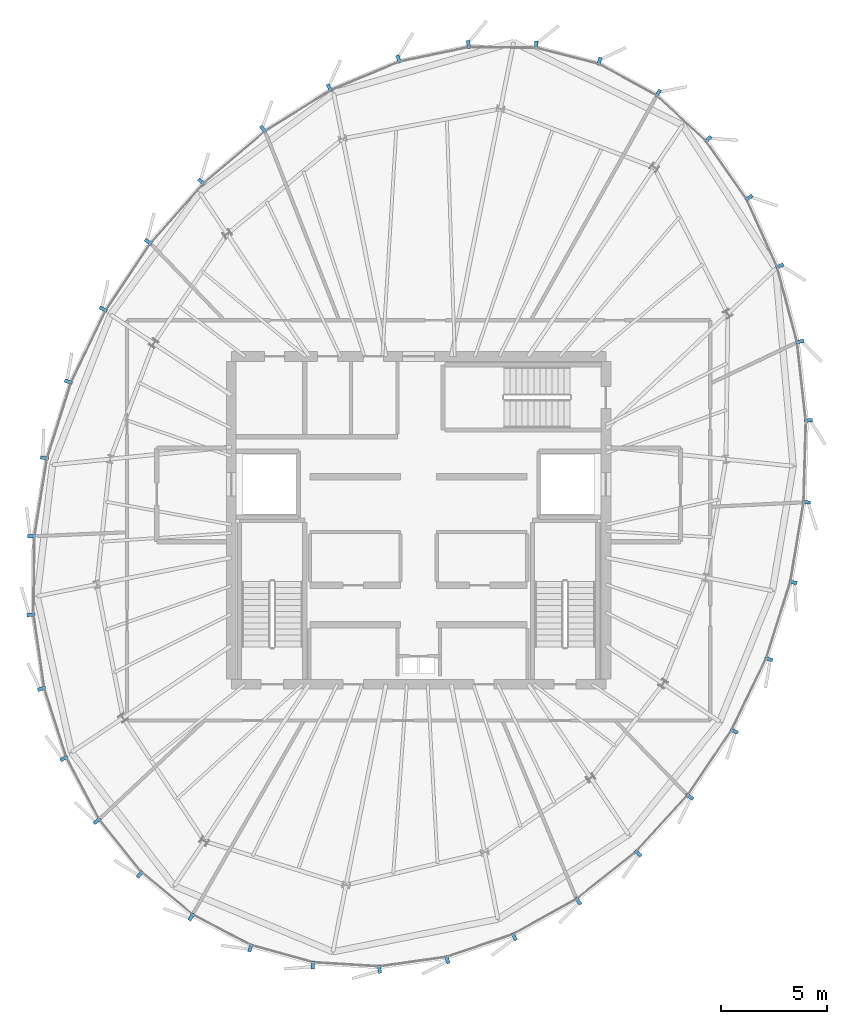
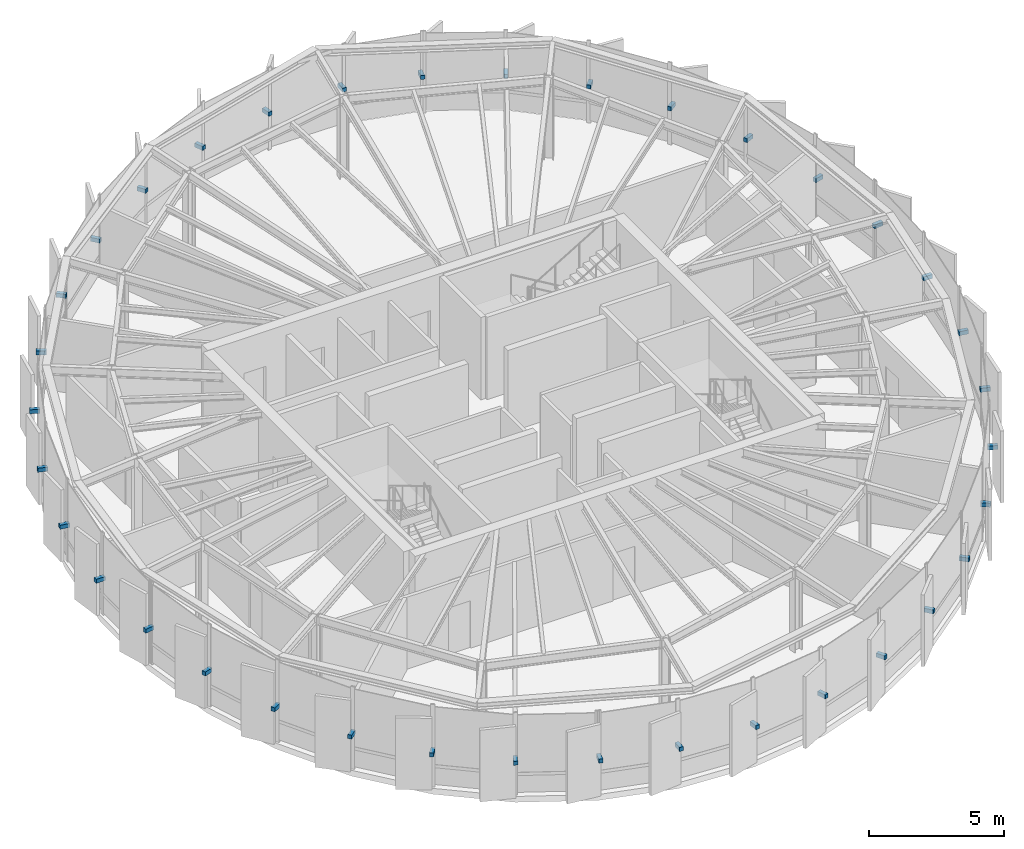
# One storey, part 24 of 27: 36 discrete accessories.
"""IFC4 building model written with IfcOpenShell, lengths in metres."""

from ifc_helpers import new_model, si_unit, direction, frame, origin, origin_2d, place, context, subcontext, project, spatial, rectangle, extrude, source, transform, mapped, material, type_object, element, save


model = new_model("IFC4")

# Units and contexts
model_context = context("Model", 3, precision=1e-05, world=origin(), true_north=direction((0.0, 1.0)))
body_context = subcontext(model_context, "Body", "Model", "MODEL_VIEW")
ifc_project = project(units=[si_unit("LENGTHUNIT", "METRE"), si_unit("AREAUNIT", "SQUARE_METRE"), si_unit("VOLUMEUNIT", "CUBIC_METRE"), si_unit("PLANEANGLEUNIT", "RADIAN"), si_unit("MASSUNIT", "GRAM", prefix="KILO"), si_unit("THERMODYNAMICTEMPERATUREUNIT", "KELVIN")], contexts=[model_context])

# Site, building, storey
site_placement = place(None, origin())
site = spatial("IfcSite", under=ifc_project, at=site_placement, CompositionType="ELEMENT")
building_placement = place(site_placement, origin())
building = spatial("IfcBuilding", under=site, at=building_placement, Name="Kethvar Cultural Tower", CompositionType="ELEMENT")
storey_placement = place(building_placement, frame((0.0, 0.0, 308.300048828125)))
storey = spatial("IfcBuildingStorey", under=building, at=storey_placement, Name="L82", CompositionType="ELEMENT", Elevation=308.300048828125)

# Discrete accessories
ifc_material = material(Name="Steel S355J2", Category="steel")
discrete_accessory_type = type_object("IfcDiscreteAccessoryType", Name="Steel Fin Bracket BRK-01", PredefinedType="BRACKET", material=ifc_material)
shared_shape = source(origin(), body_context, "Body", "SweptSolid", [
    extrude(rectangle(XDim=0.3798828125, YDim=0.159912109375, at=origin_2d()), origin(), (0.0, 0.0, 1.0), 0.179931640625),
])
for number, where, z_axis, x_axis, name in (
    (1, (55.2919921875, 49.365966796875, 1.55517578125), (0.0, 0.0, 1.0), (0.248689887165, 0.968583161129, 0.0), "L82 Terracotta Fin Bracket 1.1"),
    (2, (52.33251953125, 50.12548828125, 1.55517578125), (0.0, 0.0, 1.0), (0.010297260602, 0.999946981807, 0.0), "L82 Terracotta Fin Bracket 1.2"),
    (3, (49.140869140625, 50.158203125, 1.55517578125), (0.0, 0.0, 1.0), (-0.204496051842, 0.978867388762, 0.0), "L82 Terracotta Fin Bracket 1.3"),
    (4, (45.86328125, 49.473388671875, 1.55517578125), (0.0, 0.0, 1.0), (-0.383489523534, 0.923545226472, 0.0), "L82 Terracotta Fin Bracket 1.4"),
    (5, (42.611328125, 48.122802734375, 1.55517578125), (0.0, 0.0, 1.0), (-0.529179000974, 0.848510214982, 0.0), "L82 Terracotta Fin Bracket 1.5"),
    (6, (39.497314453125, 46.1806640625, 1.55517578125), (0.0, 0.0, 1.0), (-0.648252804699, 0.761425177676, 0.0), "L82 Terracotta Fin Bracket 1.6"),
    (7, (36.599365234375, 43.705078125, 1.55517578125), (0.0, 0.0, 1.0), (-0.747913956092, 0.663795687153, 0.0), "L82 Terracotta Fin Bracket 2.1"),
    (8, (34.0966796875, 40.88525390625, 1.55517578125), (0.0, 0.0, 1.0), (-0.83195412213, 0.554844427448, 0.0), "L82 Terracotta Fin Bracket 2.2"),
    (9, (31.98388671875, 37.71728515625, 1.55517578125), (0.0, 0.0, 1.0), (-0.901228341999, 0.433344522957, 0.0), "L82 Terracotta Fin Bracket 2.3"),
    (10, (30.347412109375, 34.313232421875, 1.55517578125), (0.0, 0.0, 1.0), (-0.953716950748, 0.300705799504, 0.0), "L82 Terracotta Fin Bracket 2.4"),
    (11, (29.218017578125, 30.72998046875, 1.55517578125), (0.0, 0.0, 1.0), (-0.987108345507, 0.160053473036, 0.0), "L82 Terracotta Fin Bracket 2.5"),
    (12, (28.622314453125, 27.0576171875, 1.55517578125), (0.0, 0.0, 1.0), (-0.999929573279, 0.011867960299, 0.0), "L82 Terracotta Fin Bracket 2.6"),
    (13, (28.585205078125, 23.36572265625, 1.55517578125), (0.0, 0.0, 1.0), (-0.989626327559, -0.143665346556, 0.0), "L82 Terracotta Fin Bracket 3.1"),
    (14, (29.089599609375, 19.89111328125, 1.55517578125), (0.0, 0.0, 1.0), (-0.952448993995, -0.304698069961, 0.0), "L82 Terracotta Fin Bracket 3.2"),
    (15, (30.13818359375, 16.61474609375, 1.55517578125), (0.0, 0.0, 1.0), (-0.883765630089, -0.467929814261, 0.0), "L82 Terracotta Fin Bracket 3.3"),
    (16, (31.693115234375, 13.677978515625, 1.55517578125), (0.0, 0.0, 1.0), (-0.779665947075, -0.626195665085, 0.0), "L82 Terracotta Fin Bracket 3.4"),
    (17, (33.707275390625, 11.17041015625, 1.55517578125), (0.0, 0.0, 1.0), (-0.638767817516, -0.769399555047, 0.0), "L82 Terracotta Fin Bracket 3.5"),
    (18, (36.119140625, 9.16845703125, 1.55517578125), (0.0, 0.0, 1.0), (-0.464687508306, -0.885474742511, 0.0), "L82 Terracotta Fin Bracket 3.6"),
    (19, (38.896484375, 7.720947265625, 1.55517578125), (0.0, 0.0, 1.0), (-0.267406557249, -0.963583796636, 0.0), "L82 Terracotta Fin Bracket 4.1"),
    (20, (41.833740234375, 6.90625, 1.55517578125), (0.0, 0.0, 1.0), (-0.061048539535, -0.998134798422, 0.0), "L82 Terracotta Fin Bracket 4.2"),
    (21, (44.962646484375, 6.715087890625, 1.55517578125), (0.0, 0.0, 1.0), (0.139691585007, -0.990195062136, 0.0), "L82 Terracotta Fin Bracket 4.3"),
    (22, (48.147216796875, 7.16455078125, 1.55517578125), (0.0, 0.0, 1.0), (0.323917418198, -0.946085358828, 0.0), "L82 Terracotta Fin Bracket 4.4"),
    (23, (51.29052734375, 8.2412109375, 1.55517578125), (0.0, 0.0, 1.0), (0.485725253868, -0.874111536221, 0.0), "L82 Terracotta Fin Bracket 4.5"),
    (24, (54.297607421875, 9.912109375, 1.55517578125), (0.0, 0.0, 1.0), (0.623060848454, -0.782173368969, 0.0), "L82 Terracotta Fin Bracket 4.6"),
    (25, (57.105224609375, 12.1572265625, 1.55517578125), (0.0, 0.0, 1.0), (0.737041466427, -0.675847524792, 0.0), "L82 Terracotta Fin Bracket 5.1"),
    (26, (59.543701171875, 14.81640625, 1.55517578125), (0.0, 0.0, 1.0), (0.829135157501, -0.559048200602, 0.0), "L82 Terracotta Fin Bracket 5.2"),
    (27, (61.623291015625, 17.901123046875, 1.55517578125), (0.0, 0.0, 1.0), (0.901077021322, -0.433659084588, 0.0), "L82 Terracotta Fin Bracket 5.3"),
    (28, (63.252685546875, 21.28662109375, 1.55517578125), (0.0, 0.0, 1.0), (0.953611926521, -0.301038691196, 0.0), "L82 Terracotta Fin Bracket 5.4"),
    (29, (64.389404296875, 24.888671875, 1.55517578125), (0.0, 0.0, 1.0), (0.986285601537, -0.165047605861, 0.0), "L82 Terracotta Fin Bracket 5.5"),
    (30, (65.017822265625, 28.64404296875, 1.55517578125), (0.0, 0.0, 1.0), (0.99960522657, -0.028096103175, 0.0), "L82 Terracotta Fin Bracket 5.6"),
    (31, (65.1201171875, 32.4970703125, 1.55517578125), (0.0, 0.0, 1.0), (0.993806768614, 0.111122034978, 0.0), "L82 Terracotta Fin Bracket 6.1"),
    (32, (64.705810546875, 36.201171875, 1.55517578125), (0.0, 0.0, 1.0), (0.966600102017, 0.256289373133, 0.0), "L82 Terracotta Fin Bracket 6.2"),
    (33, (63.7646484375, 39.748779296875, 1.55517578125), (0.0, 0.0, 1.0), (0.911833713653, 0.410559713862, 0.0), "L82 Terracotta Fin Bracket 6.3"),
    (34, (62.318359375, 42.959716796875, 1.55517578125), (0.0, 0.0, 1.0), (0.819152044289, 0.573576436351, 0.0), "L82 Terracotta Fin Bracket 6.4"),
    (35, (60.3974609375, 45.70263671875, 1.55517578125), (0.0, 0.0, 1.0), (0.67700443255, 0.735978938766, 0.0), "L82 Terracotta Fin Bracket 6.5"),
    (36, (58.0478515625, 47.86328125, 1.55517578125), (0.0, 0.0, 1.0), (0.481753674102, 0.876306680044, 0.0), "L82 Terracotta Fin Bracket 6.6"),
):
    element("IfcDiscreteAccessory", number, at=place(storey_placement, frame(where, z_axis=z_axis, x_axis=x_axis)), inside=storey, type_object=discrete_accessory_type, Name=name, PredefinedType="BRACKET", context=body_context, shape_type="MappedRepresentation", body=[
        mapped(shared_shape, transform((0.0, 0.0, 0.0), scale=1.0)),
    ])

save(model, "model.ifc")
